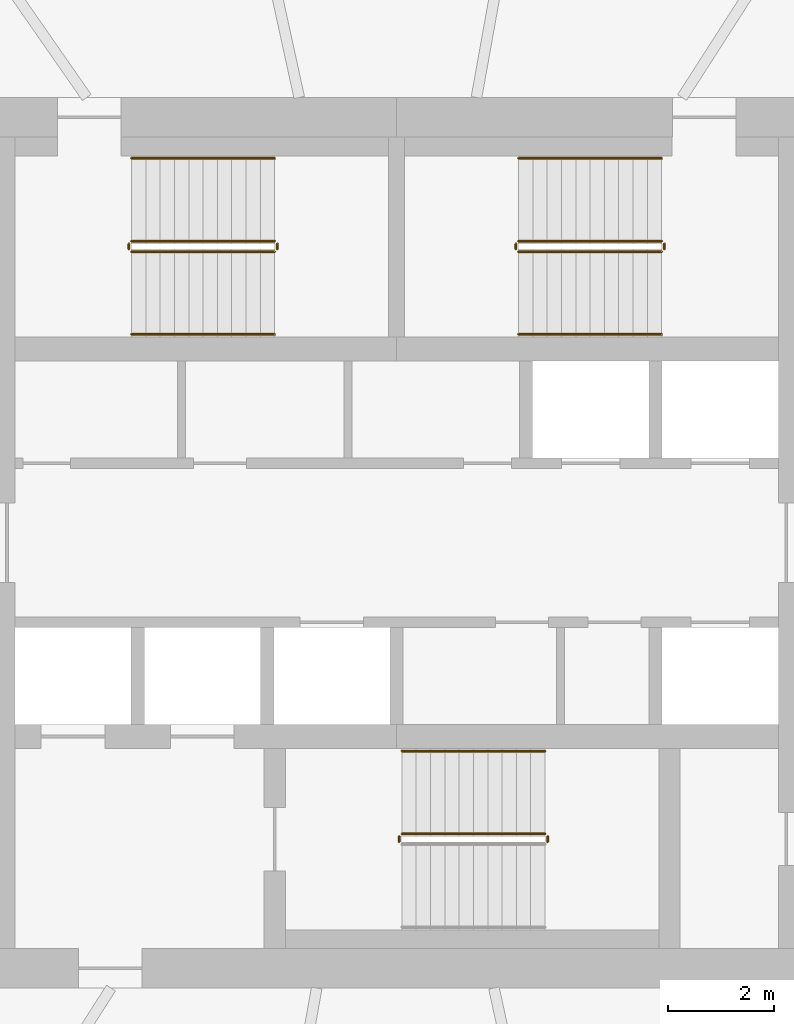
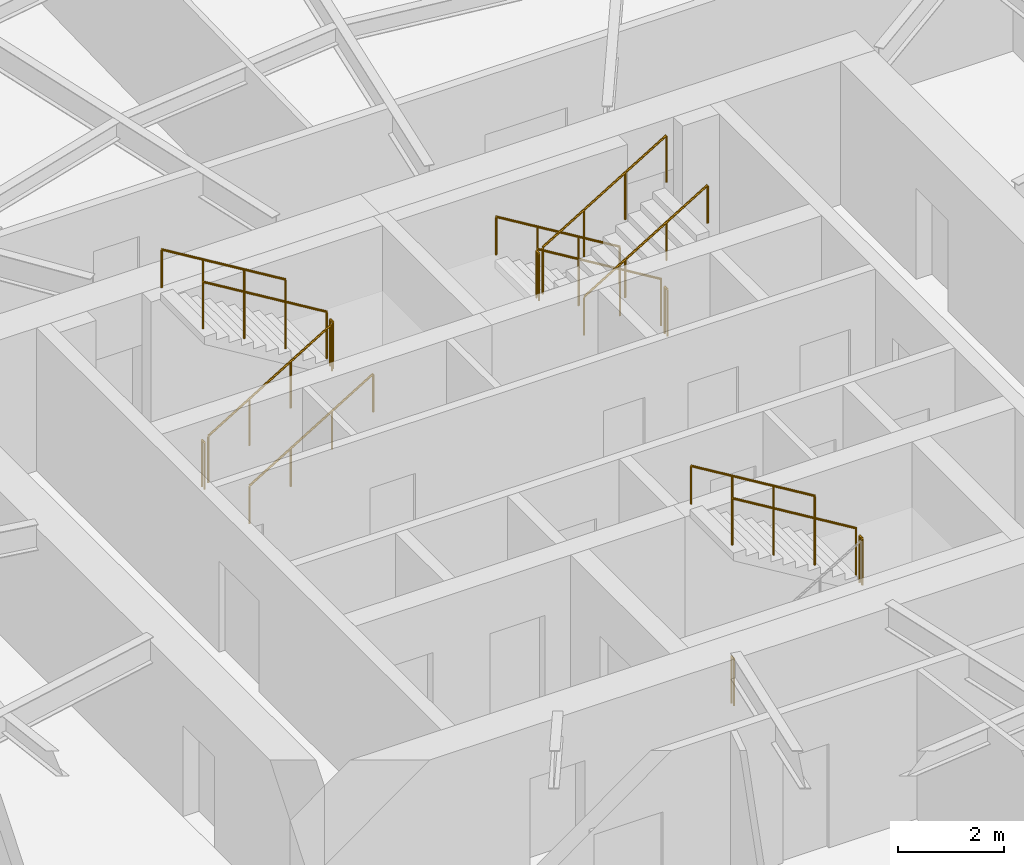
# One storey, part 13 of 14: 16 railings.
"""IFC4 building model written with IfcOpenShell, lengths in metres."""

from ifc_helpers import new_model, si_unit, direction, frame, origin, origin_2d, place, context, subcontext, project, spatial, circle, extrude, material, type_object, element, save


model = new_model("IFC4")

# Units and contexts
model_context = context("Model", 3, precision=1e-05, world=origin(), true_north=direction((0.0, 1.0)))
body_context = subcontext(model_context, "Body", "Model", "MODEL_VIEW")
ifc_project = project(units=[si_unit("LENGTHUNIT", "METRE"), si_unit("AREAUNIT", "SQUARE_METRE"), si_unit("VOLUMEUNIT", "CUBIC_METRE"), si_unit("PLANEANGLEUNIT", "RADIAN"), si_unit("MASSUNIT", "GRAM", prefix="KILO")], contexts=[model_context])

# Site, building, storey
site_placement = place(None, origin())
site = spatial("IfcSite", under=ifc_project, at=site_placement, CompositionType="ELEMENT")
building_placement = place(site_placement, origin())
building = spatial("IfcBuilding", under=site, at=building_placement, Name="Vermilion Reach Broadcast Tower", CompositionType="ELEMENT")
storey_placement = place(building_placement, frame((0.0, 0.0, 231.699951171875)))
storey = spatial("IfcBuildingStorey", under=building, at=storey_placement, Name="L57", CompositionType="ELEMENT", Elevation=231.699951171875)

# Railings
ifc_material_1 = material(Name="Stainless steel", Category="steel")
railing_type_1 = type_object("IfcRailingType", Name="Stair guard 1100", PredefinedType="GUARDRAIL", material=ifc_material_1)
railing_1_placement = place(storey_placement, frame((-11.0, 5.489990234375, 0.16357421875)))
element("IfcRailing", 1, at=railing_1_placement, inside=storey, type_object=railing_type_1, Name="L57 ST1 stair guard 1", PredefinedType="GUARDRAIL", context=body_context, shape_type="SweptSolid", body=[
    extrude(circle(Radius=0.02392578125, at=origin_2d()), frame((0.0, 0.0, 1.076171875), z_axis=(0.855178096276, 0.0, 0.518334277904), x_axis=(0.0, 1.0, 0.0)), (0.0, 0.0, 1.0), 3.1572265625),
    extrude(circle(Radius=0.02099609375, at=origin_2d()), origin(), (0.0, 0.0, 1.0), 1.052001953125),
    extrude(circle(Radius=0.02099609375, at=origin_2d()), frame((0.89990234375, 0.0, 0.54541015625)), (0.0, 0.0, 1.0), 1.052001953125),
    extrude(circle(Radius=0.02099609375, at=origin_2d()), frame((1.800048828125, 0.0, 1.091064453125)), (0.0, 0.0, 1.0), 1.052001953125),
    extrude(circle(Radius=0.02099609375, at=origin_2d()), frame((2.699951171875, 0.0, 1.636474609375)), (0.0, 0.0, 1.0), 1.052001953125),
])
railing_2_placement = place(storey_placement, frame((-8.25, 5.5400390625, 1.800048828125)))
element("IfcRailing", 2, at=railing_2_placement, inside=storey, type_object=railing_type_1, Name="L57 ST1 stair guard 2", PredefinedType="GUARDRAIL", context=body_context, shape_type="SweptSolid", body=[
    extrude(circle(Radius=0.02392578125, at=origin_2d()), frame((0.0, 0.0, 1.076171875), z_axis=(0.0, 1.0, 0.0), x_axis=(-1.0, 0.0, 0.0)), (0.0, 0.0, 1.0), 0.099853515625),
    extrude(circle(Radius=0.02099609375, at=origin_2d()), origin(), (0.0, 0.0, 1.0), 1.052001953125),
    extrude(circle(Radius=0.02099609375, at=origin_2d()), frame((0.0, 0.099853515625, 0.0)), (0.0, 0.0, 1.0), 1.052001953125),
])
railing_3_placement = place(storey_placement, frame((-8.300048828125, 5.68994140625, 1.963623046875)))
element("IfcRailing", 3, at=railing_3_placement, inside=storey, type_object=railing_type_1, Name="L57 ST1 stair guard 3", PredefinedType="GUARDRAIL", context=body_context, shape_type="SweptSolid", body=[
    extrude(circle(Radius=0.02392578125, at=origin_2d()), frame((0.0, 0.0, 1.076171875), z_axis=(-0.855178096276, 0.0, 0.518334277904), x_axis=(0.0, -1.0, 0.0)), (0.0, 0.0, 1.0), 3.1572265625),
    extrude(circle(Radius=0.02099609375, at=origin_2d()), origin(), (0.0, 0.0, 1.0), 1.052001953125),
    extrude(circle(Radius=0.02099609375, at=origin_2d()), frame((-0.89990234375, 0.0, 0.54541015625)), (0.0, 0.0, 1.0), 1.052001953125),
    extrude(circle(Radius=0.02099609375, at=origin_2d()), frame((-1.800048828125, 0.0, 1.091064453125)), (0.0, 0.0, 1.0), 1.052001953125),
    extrude(circle(Radius=0.02099609375, at=origin_2d()), frame((-2.699951171875, 0.0, 1.636474609375)), (0.0, 0.0, 1.0), 1.052001953125),
])
railing_4_placement = place(storey_placement, frame((-11.050048828125, 5.5400390625, 0.0)))
element("IfcRailing", 4, at=railing_4_placement, inside=storey, type_object=railing_type_1, Name="L57 ST1 stair guard 4", PredefinedType="GUARDRAIL", context=body_context, shape_type="SweptSolid", body=[
    extrude(circle(Radius=0.02392578125, at=origin_2d()), frame((0.0, 0.0, 1.076171875), z_axis=(0.0, 1.0, 0.0), x_axis=(-1.0, 0.0, 0.0)), (0.0, 0.0, 1.0), 0.099853515625),
    extrude(circle(Radius=0.02099609375, at=origin_2d()), origin(), (0.0, 0.0, 1.0), 1.052001953125),
    extrude(circle(Radius=0.02099609375, at=origin_2d()), frame((0.0, 0.099853515625, 0.0)), (0.0, 0.0, 1.0), 1.052001953125),
])
railing_5_placement = place(storey_placement, frame((-1.0, 5.68994140625, 0.16357421875)))
element("IfcRailing", 5, at=railing_5_placement, inside=storey, type_object=railing_type_1, Name="L57 ST2 stair guard 1", PredefinedType="GUARDRAIL", context=body_context, shape_type="SweptSolid", body=[
    extrude(circle(Radius=0.02392578125, at=origin_2d()), frame((0.0, 0.0, 1.076171875), z_axis=(-0.855178096276, 0.0, 0.518334277904), x_axis=(0.0, -1.0, 0.0)), (0.0, 0.0, 1.0), 3.1572265625),
    extrude(circle(Radius=0.02099609375, at=origin_2d()), origin(), (0.0, 0.0, 1.0), 1.052001953125),
    extrude(circle(Radius=0.02099609375, at=origin_2d()), frame((-0.89990234375, 0.0, 0.54541015625)), (0.0, 0.0, 1.0), 1.052001953125),
    extrude(circle(Radius=0.02099609375, at=origin_2d()), frame((-1.800048828125, 0.0, 1.091064453125)), (0.0, 0.0, 1.0), 1.052001953125),
    extrude(circle(Radius=0.02099609375, at=origin_2d()), frame((-2.699951171875, 0.0, 1.636474609375)), (0.0, 0.0, 1.0), 1.052001953125),
])
railing_6_placement = place(storey_placement, frame((-3.75, 5.639892578125, 1.800048828125)))
element("IfcRailing", 6, at=railing_6_placement, inside=storey, type_object=railing_type_1, Name="L57 ST2 stair guard 2", PredefinedType="GUARDRAIL", context=body_context, shape_type="SweptSolid", body=[
    extrude(circle(Radius=0.02392578125, at=origin_2d()), frame((0.0, 0.0, 1.076171875), z_axis=(0.0, -1.0, 0.0), x_axis=(1.0, 0.0, 0.0)), (0.0, 0.0, 1.0), 0.099853515625),
    extrude(circle(Radius=0.02099609375, at=origin_2d()), origin(), (0.0, 0.0, 1.0), 1.052001953125),
    extrude(circle(Radius=0.02099609375, at=origin_2d()), frame((0.0, -0.099853515625, 0.0)), (0.0, 0.0, 1.0), 1.052001953125),
])
railing_7_placement = place(storey_placement, frame((-3.699951171875, 5.489990234375, 1.963623046875)))
element("IfcRailing", 7, at=railing_7_placement, inside=storey, type_object=railing_type_1, Name="L57 ST2 stair guard 3", PredefinedType="GUARDRAIL", context=body_context, shape_type="SweptSolid", body=[
    extrude(circle(Radius=0.02392578125, at=origin_2d()), frame((0.0, 0.0, 1.076171875), z_axis=(0.855178096276, 0.0, 0.518334277904), x_axis=(0.0, 1.0, 0.0)), (0.0, 0.0, 1.0), 3.1572265625),
    extrude(circle(Radius=0.02099609375, at=origin_2d()), origin(), (0.0, 0.0, 1.0), 1.052001953125),
    extrude(circle(Radius=0.02099609375, at=origin_2d()), frame((0.89990234375, 0.0, 0.54541015625)), (0.0, 0.0, 1.0), 1.052001953125),
    extrude(circle(Radius=0.02099609375, at=origin_2d()), frame((1.800048828125, 0.0, 1.091064453125)), (0.0, 0.0, 1.0), 1.052001953125),
    extrude(circle(Radius=0.02099609375, at=origin_2d()), frame((2.699951171875, 0.0, 1.636474609375)), (0.0, 0.0, 1.0), 1.052001953125),
])
railing_8_placement = place(storey_placement, frame((-0.949951171875, 5.639892578125, 0.0)))
element("IfcRailing", 8, at=railing_8_placement, inside=storey, type_object=railing_type_1, Name="L57 ST2 stair guard 4", PredefinedType="GUARDRAIL", context=body_context, shape_type="SweptSolid", body=[
    extrude(circle(Radius=0.02392578125, at=origin_2d()), frame((0.0, 0.0, 1.076171875), z_axis=(0.0, -1.0, 0.0), x_axis=(1.0, 0.0, 0.0)), (0.0, 0.0, 1.0), 0.099853515625),
    extrude(circle(Radius=0.02099609375, at=origin_2d()), origin(), (0.0, 0.0, 1.0), 1.052001953125),
    extrude(circle(Radius=0.02099609375, at=origin_2d()), frame((0.0, -0.099853515625, 0.0)), (0.0, 0.0, 1.0), 1.052001953125),
])
railing_9_placement = place(storey_placement, frame((-3.14990234375, -5.639892578125, 1.800048828125)))
element("IfcRailing", 9, at=railing_9_placement, inside=storey, type_object=railing_type_1, Name="L57 ST3 stair guard 2", PredefinedType="GUARDRAIL", context=body_context, shape_type="SweptSolid", body=[
    extrude(circle(Radius=0.02392578125, at=origin_2d()), frame((0.0, 0.0, 1.076171875), z_axis=(0.0, 1.0, 0.0), x_axis=(-1.0, 0.0, 0.0)), (0.0, 0.0, 1.0), 0.099853515625),
    extrude(circle(Radius=0.02099609375, at=origin_2d()), origin(), (0.0, 0.0, 1.0), 1.052001953125),
    extrude(circle(Radius=0.02099609375, at=origin_2d()), frame((0.0, 0.099853515625, 0.0)), (0.0, 0.0, 1.0), 1.052001953125),
])
railing_10_placement = place(storey_placement, frame((-3.199951171875, -5.489990234375, 1.963623046875)))
element("IfcRailing", 10, at=railing_10_placement, inside=storey, type_object=railing_type_1, Name="L57 ST3 stair guard 3", PredefinedType="GUARDRAIL", context=body_context, shape_type="SweptSolid", body=[
    extrude(circle(Radius=0.02392578125, at=origin_2d()), frame((0.0, 0.0, 1.076171875), z_axis=(-0.855178096276, 0.0, 0.518334277904), x_axis=(0.0, -1.0, 0.0)), (0.0, 0.0, 1.0), 3.1572265625),
    extrude(circle(Radius=0.02099609375, at=origin_2d()), origin(), (0.0, 0.0, 1.0), 1.052001953125),
    extrude(circle(Radius=0.02099609375, at=origin_2d()), frame((-0.89990234375, 0.0, 0.54541015625)), (0.0, 0.0, 1.0), 1.052001953125),
    extrude(circle(Radius=0.02099609375, at=origin_2d()), frame((-1.800048828125, 0.0, 1.091064453125)), (0.0, 0.0, 1.0), 1.052001953125),
    extrude(circle(Radius=0.02099609375, at=origin_2d()), frame((-2.699951171875, 0.0, 1.636474609375)), (0.0, 0.0, 1.0), 1.052001953125),
])
railing_11_placement = place(storey_placement, frame((-5.949951171875, -5.639892578125, 0.0)))
element("IfcRailing", 11, at=railing_11_placement, inside=storey, type_object=railing_type_1, Name="L57 ST3 stair guard 4", PredefinedType="GUARDRAIL", context=body_context, shape_type="SweptSolid", body=[
    extrude(circle(Radius=0.02392578125, at=origin_2d()), frame((0.0, 0.0, 1.076171875), z_axis=(0.0, 1.0, 0.0), x_axis=(-1.0, 0.0, 0.0)), (0.0, 0.0, 1.0), 0.099853515625),
    extrude(circle(Radius=0.02099609375, at=origin_2d()), origin(), (0.0, 0.0, 1.0), 1.052001953125),
    extrude(circle(Radius=0.02099609375, at=origin_2d()), frame((0.0, 0.099853515625, 0.0)), (0.0, 0.0, 1.0), 1.052001953125),
])
ifc_material_2 = material(Name="Stainless steel", Category="steel")
railing_type_2 = type_object("IfcRailingType", Name="Stair handrail", PredefinedType="HANDRAIL", material=ifc_material_2)
railing_12_placement = place(storey_placement, frame((-11.0, 3.929931640625, 0.16357421875)))
element("IfcRailing", 12, at=railing_12_placement, inside=storey, type_object=railing_type_2, Name="L57 ST1 stair handrail 1", PredefinedType="HANDRAIL", context=body_context, shape_type="SweptSolid", body=[
    extrude(circle(Radius=0.02392578125, at=origin_2d()), frame((0.0, 0.0, 0.8759765625), z_axis=(0.855178096276, 0.0, 0.518334277904), x_axis=(0.0, 1.0, 0.0)), (0.0, 0.0, 1.0), 3.1572265625),
    extrude(circle(Radius=0.02099609375, at=origin_2d()), origin(), (0.0, 0.0, 1.0), 0.851806640625),
    extrude(circle(Radius=0.02099609375, at=origin_2d()), frame((0.89990234375, 0.0, 0.54541015625)), (0.0, 0.0, 1.0), 0.851806640625),
    extrude(circle(Radius=0.02099609375, at=origin_2d()), frame((1.800048828125, 0.0, 1.091064453125)), (0.0, 0.0, 1.0), 0.851806640625),
    extrude(circle(Radius=0.02099609375, at=origin_2d()), frame((2.699951171875, 0.0, 1.636474609375)), (0.0, 0.0, 1.0), 0.851806640625),
])
for number, where, name in (
    (13, (-8.300048828125, 7.25, 1.963623046875), "L57 ST1 stair handrail 2"),
    (14, (-1.0, 7.25, 0.16357421875), "L57 ST2 stair handrail 1"),
):
    element("IfcRailing", number, at=place(storey_placement, frame(where)), inside=storey, type_object=railing_type_2, Name=name, PredefinedType="HANDRAIL", context=body_context, shape_type="SweptSolid", body=[
        extrude(circle(Radius=0.02392578125, at=origin_2d()), frame((0.0, 0.0, 0.8759765625), z_axis=(-0.855178096276, 0.0, 0.518334277904), x_axis=(0.0, -1.0, 0.0)), (0.0, 0.0, 1.0), 3.1572265625),
        extrude(circle(Radius=0.02099609375, at=origin_2d()), origin(), (0.0, 0.0, 1.0), 0.851806640625),
        extrude(circle(Radius=0.02099609375, at=origin_2d()), frame((-0.89990234375, 0.0, 0.54541015625)), (0.0, 0.0, 1.0), 0.851806640625),
        extrude(circle(Radius=0.02099609375, at=origin_2d()), frame((-1.800048828125, 0.0, 1.091064453125)), (0.0, 0.0, 1.0), 0.851806640625),
        extrude(circle(Radius=0.02099609375, at=origin_2d()), frame((-2.699951171875, 0.0, 1.636474609375)), (0.0, 0.0, 1.0), 0.851806640625),
    ])
railing_13_placement = place(storey_placement, frame((-3.699951171875, 3.929931640625, 1.963623046875)))
element("IfcRailing", 15, at=railing_13_placement, inside=storey, type_object=railing_type_2, Name="L57 ST2 stair handrail 2", PredefinedType="HANDRAIL", context=body_context, shape_type="SweptSolid", body=[
    extrude(circle(Radius=0.02392578125, at=origin_2d()), frame((0.0, 0.0, 0.8759765625), z_axis=(0.855178096276, 0.0, 0.518334277904), x_axis=(0.0, 1.0, 0.0)), (0.0, 0.0, 1.0), 3.1572265625),
    extrude(circle(Radius=0.02099609375, at=origin_2d()), origin(), (0.0, 0.0, 1.0), 0.851806640625),
    extrude(circle(Radius=0.02099609375, at=origin_2d()), frame((0.89990234375, 0.0, 0.54541015625)), (0.0, 0.0, 1.0), 0.851806640625),
    extrude(circle(Radius=0.02099609375, at=origin_2d()), frame((1.800048828125, 0.0, 1.091064453125)), (0.0, 0.0, 1.0), 0.851806640625),
    extrude(circle(Radius=0.02099609375, at=origin_2d()), frame((2.699951171875, 0.0, 1.636474609375)), (0.0, 0.0, 1.0), 0.851806640625),
])
railing_14_placement = place(storey_placement, frame((-3.199951171875, -3.929931640625, 1.963623046875)))
element("IfcRailing", 16, at=railing_14_placement, inside=storey, type_object=railing_type_2, Name="L57 ST3 stair handrail 2", PredefinedType="HANDRAIL", context=body_context, shape_type="SweptSolid", body=[
    extrude(circle(Radius=0.02392578125, at=origin_2d()), frame((0.0, 0.0, 0.8759765625), z_axis=(-0.855178096276, 0.0, 0.518334277904), x_axis=(0.0, -1.0, 0.0)), (0.0, 0.0, 1.0), 3.1572265625),
    extrude(circle(Radius=0.02099609375, at=origin_2d()), origin(), (0.0, 0.0, 1.0), 0.851806640625),
    extrude(circle(Radius=0.02099609375, at=origin_2d()), frame((-0.89990234375, 0.0, 0.54541015625)), (0.0, 0.0, 1.0), 0.851806640625),
    extrude(circle(Radius=0.02099609375, at=origin_2d()), frame((-1.800048828125, 0.0, 1.091064453125)), (0.0, 0.0, 1.0), 0.851806640625),
    extrude(circle(Radius=0.02099609375, at=origin_2d()), frame((-2.699951171875, 0.0, 1.636474609375)), (0.0, 0.0, 1.0), 0.851806640625),
])

save(model, "model.ifc")
